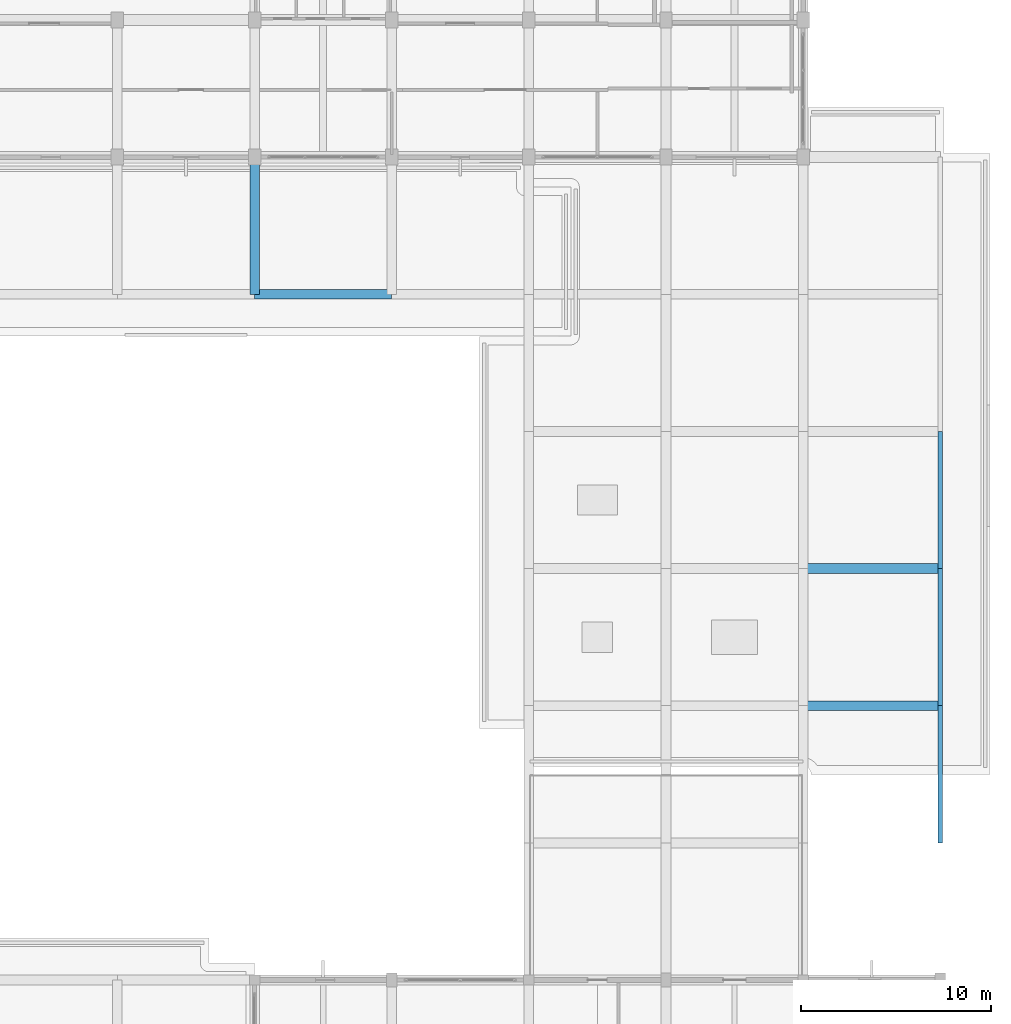
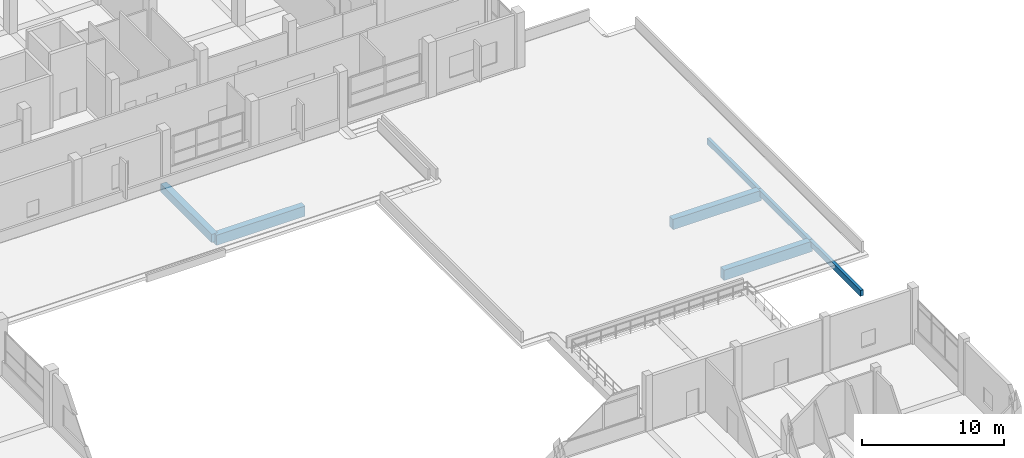
# One storey, part 94 of 140: 7 beams.
"""IFC4 building model written with IfcOpenShell, lengths in metres."""

from ifc_helpers import new_model, si_unit, direction, frame, origin, origin_2d, place, context, subcontext, project, spatial, rectangle, extrude, material, material_profile, profile_set, type_object, element, save


model = new_model("IFC4")

# Units and contexts
model_context = context("Model", 3, precision=1e-05, world=origin(), true_north=direction((0.0, 1.0)))
body_context = subcontext(model_context, "Body", "Model", "MODEL_VIEW")
ifc_project = project(units=[si_unit("LENGTHUNIT", "METRE"), si_unit("AREAUNIT", "SQUARE_METRE"), si_unit("VOLUMEUNIT", "CUBIC_METRE"), si_unit("PLANEANGLEUNIT", "RADIAN"), si_unit("MASSUNIT", "GRAM", prefix="KILO")], contexts=[model_context])

# Site, building, storey
site_placement = place(None, origin())
site = spatial("IfcSite", under=ifc_project, at=site_placement, CompositionType="ELEMENT")
building_placement = place(site_placement, origin())
building = spatial("IfcBuilding", under=site, at=building_placement, Name="Seraya Terrace Polytechnic", CompositionType="ELEMENT")
storey_placement = place(building_placement, frame((0.0, 0.0, 9.60009765625)))
storey = spatial("IfcBuildingStorey", under=building, at=storey_placement, Name="L02", CompositionType="ELEMENT", Elevation=9.60009765625)

# Beams
ifc_material = material(Name="Concrete C40/50", Category="concrete")
ifc_material_profile_1 = material_profile(ifc_material, rectangle(XDim=0.52001953125, YDim=0.8798828125, at=origin_2d()), Name="RC 520x880")
ifc_profile_set_1 = profile_set([ifc_material_profile_1], Name="Concrete C40/50")
beam_type_1 = type_object("IfcBeamType", Name="BM-04", PredefinedType="BEAM", material=ifc_profile_set_1)
for number, where, z_axis, x_axis, name in (
    (1, (158.39990234375, 50.39990234375, -0.440185546875), (1.0, 0.0, 0.0), (0.0, 1.0, 0.0), "Beam BM-04 L02 X (158.4..165.6, 50.4)"),
    (2, (158.39990234375, 57.60009765625, -0.440185546875), (1.0, 0.0, 0.0), (0.0, 1.0, 0.0), "Beam BM-04 L02 X (158.4..165.6, 57.6)"),
):
    element("IfcBeam", number, at=place(storey_placement, frame(where, z_axis=z_axis, x_axis=x_axis)), inside=storey, type_object=beam_type_1, Name=name, PredefinedType="BEAM", context=body_context, shape_type="SweptSolid", body=[
        extrude(rectangle(XDim=0.52001953125, YDim=0.8798828125, at=origin_2d()), origin(), (0.0, 0.0, 1.0), 7.2001953125),
    ])
beam_1_placement = place(storey_placement, frame((129.60009765625, 72.0, -0.440185546875), z_axis=(1.0, 0.0, 0.0), x_axis=(0.0, 1.0, 0.0)))
element("IfcBeam", 3, at=beam_1_placement, inside=storey, type_object=beam_type_1, Name="Beam BM-04 L02 X (129.6..136.8, 72.0)", PredefinedType="BEAM", context=body_context, shape_type="SweptSolid", body=[
    extrude(rectangle(XDim=0.52001953125, YDim=0.8798828125, at=origin_2d()), origin(), (0.0, 0.0, 1.0), 7.199951171875),
])
ifc_material_profile_2 = material_profile(ifc_material, rectangle(XDim=0.5, YDim=0.699951171875, at=origin_2d()), Name="RC 500x700")
ifc_profile_set_2 = profile_set([ifc_material_profile_2], Name="Concrete C40/50")
beam_type_2 = type_object("IfcBeamType", Name="BM-07", PredefinedType="BEAM", material=ifc_profile_set_2)
beam_2_placement = place(storey_placement, frame((129.60009765625, 72.0, -0.35009765625), z_axis=(0.0, 1.0, 0.0), x_axis=(-1.0, 0.0, 0.0)))
element("IfcBeam", 4, at=beam_2_placement, inside=storey, type_object=beam_type_2, Name="Beam BM-07 L02 Y (129.6, 72.0..79.2)", PredefinedType="BEAM", context=body_context, shape_type="SweptSolid", body=[
    extrude(rectangle(XDim=0.5, YDim=0.699951171875, at=origin_2d()), origin(), (0.0, 0.0, 1.0), 7.199951171875),
])
ifc_material_profile_3 = material_profile(ifc_material, rectangle(XDim=0.25, YDim=0.5, at=origin_2d()), Name="RC 250x500")
ifc_profile_set_3 = profile_set([ifc_material_profile_3], Name="Concrete C40/50")
beam_type_3 = type_object("IfcBeamType", Name="SP-03", PredefinedType="SPANDREL", material=ifc_profile_set_3)
beam_3_placement = place(storey_placement, frame((165.60009765625, 43.199951171875, -0.25), z_axis=(0.0, 1.0, 0.0), x_axis=(-1.0, 0.0, 0.0)))
element("IfcBeam", 5, at=beam_3_placement, inside=storey, type_object=beam_type_3, Name="Beam SP-03 L02 Y (165.6, 43.2..50.4)", PredefinedType="SPANDREL", context=body_context, shape_type="SweptSolid", body=[
    extrude(rectangle(XDim=0.25, YDim=0.5, at=origin_2d()), origin(), (0.0, 0.0, 1.0), 7.199951171875),
])
beam_4_placement = place(storey_placement, frame((165.60009765625, 50.39990234375, -0.25), z_axis=(0.0, 1.0, 0.0), x_axis=(-1.0, 0.0, 0.0)))
element("IfcBeam", 6, at=beam_4_placement, inside=storey, type_object=beam_type_3, Name="Beam SP-03 L02 Y (165.6, 50.4..57.6)", PredefinedType="SPANDREL", context=body_context, shape_type="SweptSolid", body=[
    extrude(rectangle(XDim=0.25, YDim=0.5, at=origin_2d()), origin(), (0.0, 0.0, 1.0), 7.2001953125),
])
beam_5_placement = place(storey_placement, frame((165.60009765625, 57.60009765625, -0.25), z_axis=(0.0, 1.0, 0.0), x_axis=(-1.0, 0.0, 0.0)))
element("IfcBeam", 7, at=beam_5_placement, inside=storey, type_object=beam_type_3, Name="Beam SP-03 L02 Y (165.6, 57.6..64.8)", PredefinedType="SPANDREL", context=body_context, shape_type="SweptSolid", body=[
    extrude(rectangle(XDim=0.25, YDim=0.5, at=origin_2d()), origin(), (0.0, 0.0, 1.0), 7.199951171875),
])

save(model, "model.ifc")
